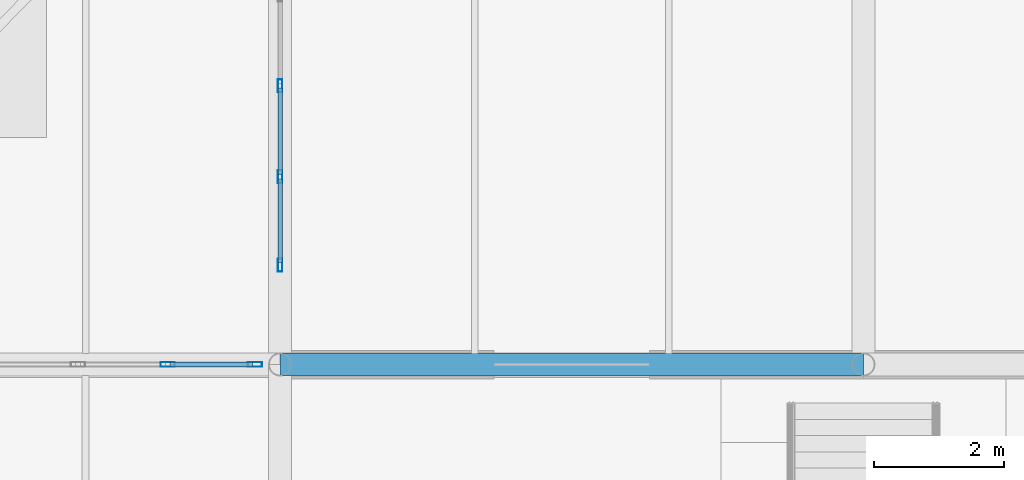
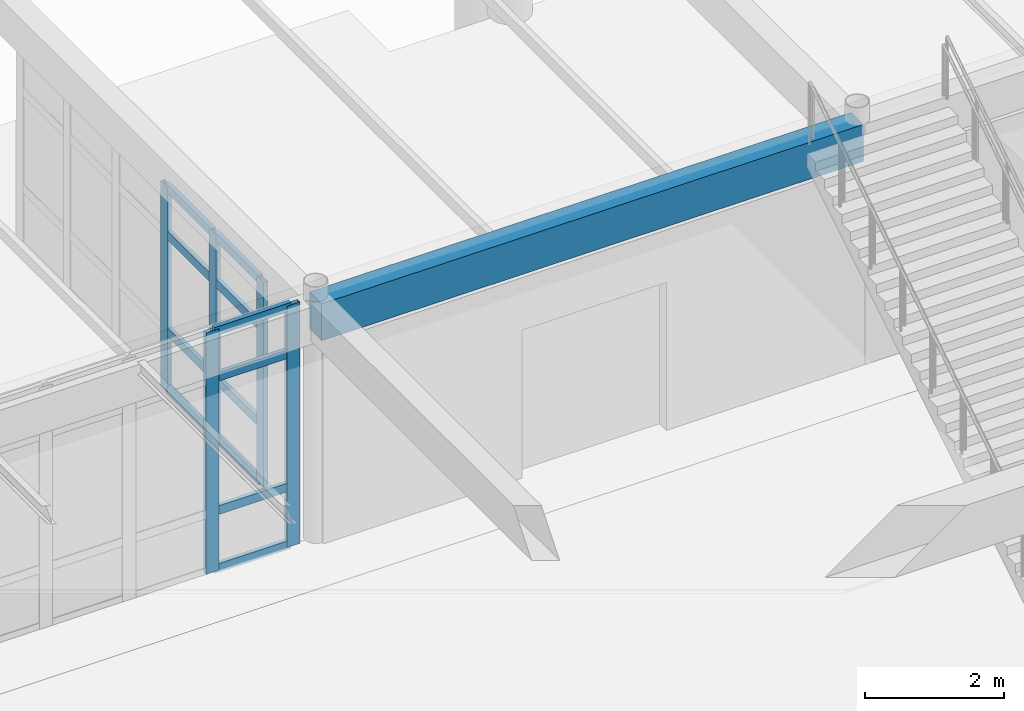
# One storey, part 95 of 186: 17 members, 1 beam, 2 elements without a shape of their own.
"""IFC4 building model written with IfcOpenShell, lengths in metres."""

from ifc_helpers import new_model, si_unit, direction, frame, origin, origin_2d, place, context, subcontext, project, spatial, rectangle, hollow_rectangle, extrude, material, layer, layer_set, material_profile, profile_set, type_object, element, aggregate, save


model = new_model("IFC4")

# Units and contexts
model_context = context("Model", 3, precision=1e-05, world=origin(), true_north=direction((0.0, 1.0)))
body_context = subcontext(model_context, "Body", "Model", "MODEL_VIEW")
ifc_project = project(units=[si_unit("LENGTHUNIT", "METRE"), si_unit("AREAUNIT", "SQUARE_METRE"), si_unit("VOLUMEUNIT", "CUBIC_METRE"), si_unit("PLANEANGLEUNIT", "RADIAN"), si_unit("MASSUNIT", "GRAM", prefix="KILO")], contexts=[model_context])

# Site, building, storey
site_placement = place(None, origin())
site = spatial("IfcSite", under=ifc_project, at=site_placement, CompositionType="ELEMENT")
building_placement = place(site_placement, origin())
building = spatial("IfcBuilding", under=site, at=building_placement, Name="Ornek Quay Market", CompositionType="ELEMENT")
storey_placement = place(building_placement, origin())
storey = spatial("IfcBuildingStorey", under=building, at=storey_placement, Name="L00", CompositionType="ELEMENT", Elevation=0.0)

# Beam
ifc_material_1 = material(Name="Concrete C35/45", Category="concrete")
ifc_material_profile_1 = material_profile(ifc_material_1, rectangle(XDim=0.35009765625, YDim=0.64990234375, at=origin_2d()), Name="RC 350x650", Category="concrete")
ifc_profile_set_1 = profile_set([ifc_material_profile_1], Name="Concrete C35/45")
beam_type = type_object("IfcBeamType", Name="BM-CONC-350x650", PredefinedType="BEAM", material=ifc_profile_set_1)
beam_placement = place(storey_placement, frame((81.0, 110.0, 3.864990234375), z_axis=(1.0, 0.0, 0.0), x_axis=(0.0, 1.0, 0.0)))
element("IfcBeam", 1, at=beam_placement, inside=storey, type_object=beam_type, Name="Primary beam B-CN1-011", PredefinedType="BEAM", context=body_context, shape_type="SweptSolid", body=[
    extrude(rectangle(XDim=0.35009765625, YDim=0.64990234375, at=origin_2d()), origin(), (0.0, 0.0, 1.0), 9.0),
])

# Curtain wall, members
ifc_material_2 = material(Name="Anodised bronze aluminium and triple low-e glass", Category="aluminium")
ifc_layer = layer(ifc_material_2, 0.219970703125, Name="Anodised bronze aluminium and triple low-e glass", Category="aluminium")
ifc_layer_set = layer_set([ifc_layer], Name="Anodised bronze aluminium and triple low-e glass")
curtain_wall_type = type_object("IfcCurtainWallType", Name="CW-PORCH-MOD1500", PredefinedType="USERDEFINED", material=ifc_layer_set)
curtain_wall_1_placement = place(storey_placement, origin())
curtain_wall_1 = element("IfcCurtainWall", 2, at=curtain_wall_1_placement, inside=storey, type_object=curtain_wall_type, Name="Curtain wall CW-152", ObjectType="CURTAIN WALL", PredefinedType="USERDEFINED")
ifc_material_3 = material(Name="Anodised aluminium 6063-T6", Category="aluminium")
ifc_material_profile_2 = material_profile(ifc_material_3, hollow_rectangle(XDim=0.070068359375, YDim=0.199951171875, WallThickness=0.0048828125, at=origin_2d()), Name="CW-MUL-70x200", Category="aluminium")
ifc_profile_set_2 = profile_set([ifc_material_profile_2], Name="Anodised aluminium 6063-T6")
member_type_1 = type_object("IfcMemberType", Name="CW-MUL-70x200", PredefinedType="MULLION", material=ifc_profile_set_2)
member_1_placement = place(storey_placement, frame((81.0, 111.534912109375, 0.0), z_axis=(0.0, 0.0, 1.0), x_axis=(-1.0, 0.0, 0.0)))
member_1 = element("IfcMember", 3, at=member_1_placement, type_object=member_type_1, Name="CW-152 mullion 1", PredefinedType="MULLION", context=body_context, shape_type="SweptSolid", body=[
    extrude(hollow_rectangle(XDim=0.070068359375, YDim=0.199951171875, WallThickness=0.0048828125, at=origin_2d()), origin(), (0.0, 0.0, 1.0), 3.60009765625),
])
member_2_placement = place(storey_placement, frame((81.0, 112.89990234375, 0.0), z_axis=(0.0, 0.0, 1.0), x_axis=(-1.0, 0.0, 0.0)))
member_2 = element("IfcMember", 4, at=member_2_placement, type_object=member_type_1, Name="CW-152 mullion 2", PredefinedType="MULLION", context=body_context, shape_type="SweptSolid", body=[
    extrude(hollow_rectangle(XDim=0.070068359375, YDim=0.199951171875, WallThickness=0.0048828125, at=origin_2d()), origin(), (0.0, 0.0, 1.0), 3.60009765625),
])
member_3_placement = place(storey_placement, frame((81.0, 114.300048828125, 0.0), z_axis=(0.0, 0.0, 1.0), x_axis=(-1.0, 0.0, 0.0)))
member_3 = element("IfcMember", 5, at=member_3_placement, type_object=member_type_1, Name="CW-152 mullion 3", PredefinedType="MULLION", context=body_context, shape_type="SweptSolid", body=[
    extrude(hollow_rectangle(XDim=0.070068359375, YDim=0.199951171875, WallThickness=0.0048828125, at=origin_2d()), origin(), (0.0, 0.0, 1.0), 3.60009765625),
])

curtain_wall_2_placement = place(storey_placement, origin())
curtain_wall_2 = element("IfcCurtainWall", 6, at=curtain_wall_2_placement, inside=storey, type_object=curtain_wall_type, Name="Curtain wall CW-046", ObjectType="CURTAIN WALL", PredefinedType="USERDEFINED")
ifc_material_profile_3 = material_profile(ifc_material_3, hollow_rectangle(XDim=0.074951171875, YDim=0.219970703125, WallThickness=0.0048828125, at=origin_2d()), Name="CW-MUL-75x220", Category="aluminium")
ifc_profile_set_3 = profile_set([ifc_material_profile_3], Name="Anodised aluminium 6063-T6")
member_type_2 = type_object("IfcMemberType", Name="CW-MUL-75x220", PredefinedType="MULLION", material=ifc_profile_set_3)
member_4_placement = place(storey_placement, frame((79.2666015625, 110.0, 0.0), z_axis=(0.0, 0.0, 1.0), x_axis=(0.0, 1.0, 0.0)))
member_4 = element("IfcMember", 7, at=member_4_placement, type_object=member_type_2, Name="CW-046 mullion 6", PredefinedType="MULLION", context=body_context, shape_type="SweptSolid", body=[
    extrude(hollow_rectangle(XDim=0.074951171875, YDim=0.219970703125, WallThickness=0.0048828125, at=origin_2d()), origin(), (0.0, 0.0, 1.0), 4.239990234375),
])
member_5_placement = place(storey_placement, frame((80.612548828125, 110.0, 0.0), z_axis=(0.0, 0.0, 1.0), x_axis=(0.0, 1.0, 0.0)))
member_5 = element("IfcMember", 8, at=member_5_placement, type_object=member_type_2, Name="CW-046 mullion 7", PredefinedType="MULLION", context=body_context, shape_type="SweptSolid", body=[
    extrude(hollow_rectangle(XDim=0.074951171875, YDim=0.219970703125, WallThickness=0.0048828125, at=origin_2d()), origin(), (0.0, 0.0, 1.0), 4.239990234375),
])
ifc_material_profile_4 = material_profile(ifc_material_3, hollow_rectangle(XDim=0.070068359375, YDim=0.14990234375, WallThickness=0.0048828125, at=origin_2d()), Name="CW-TRN-70x150", Category="aluminium")
ifc_profile_set_4 = profile_set([ifc_material_profile_4], Name="Anodised aluminium 6063-T6")
member_type_3 = type_object("IfcMemberType", Name="CW-TRN-70x150", PredefinedType="USERDEFINED", material=ifc_profile_set_4)
member_6_placement = place(storey_placement, frame((79.30419921875, 110.0, 0.034912109375), z_axis=(1.0, 0.0, 0.0), x_axis=(0.0, 1.0, 0.0)))
member_6 = element("IfcMember", 9, at=member_6_placement, type_object=member_type_3, Name="CW-046 transom 6.1", ObjectType="TRANSOM", PredefinedType="USERDEFINED", context=body_context, shape_type="SweptSolid", body=[
    extrude(hollow_rectangle(XDim=0.070068359375, YDim=0.14990234375, WallThickness=0.0048828125, at=origin_2d()), origin(), (0.0, 0.0, 1.0), 1.270751953125),
])
member_7_placement = place(storey_placement, frame((79.30419921875, 110.0, 1.050048828125), z_axis=(1.0, 0.0, 0.0), x_axis=(0.0, 1.0, 0.0)))
member_7 = element("IfcMember", 10, at=member_7_placement, type_object=member_type_3, Name="CW-046 transom 6.2", ObjectType="TRANSOM", PredefinedType="USERDEFINED", context=body_context, shape_type="SweptSolid", body=[
    extrude(hollow_rectangle(XDim=0.070068359375, YDim=0.14990234375, WallThickness=0.0048828125, at=origin_2d()), origin(), (0.0, 0.0, 1.0), 1.270751953125),
])
member_8_placement = place(storey_placement, frame((79.30419921875, 110.0, 3.389892578125), z_axis=(1.0, 0.0, 0.0), x_axis=(0.0, 1.0, 0.0)))
member_8 = element("IfcMember", 11, at=member_8_placement, type_object=member_type_3, Name="CW-046 transom 6.3", ObjectType="TRANSOM", PredefinedType="USERDEFINED", context=body_context, shape_type="SweptSolid", body=[
    extrude(hollow_rectangle(XDim=0.070068359375, YDim=0.14990234375, WallThickness=0.0048828125, at=origin_2d()), origin(), (0.0, 0.0, 1.0), 1.270751953125),
])
member_9_placement = place(storey_placement, frame((79.30419921875, 110.0, 4.205078125), z_axis=(1.0, 0.0, 0.0), x_axis=(0.0, 1.0, 0.0)))
member_9 = element("IfcMember", 12, at=member_9_placement, type_object=member_type_3, Name="CW-046 transom 6.4", ObjectType="TRANSOM", PredefinedType="USERDEFINED", context=body_context, shape_type="SweptSolid", body=[
    extrude(hollow_rectangle(XDim=0.070068359375, YDim=0.14990234375, WallThickness=0.0048828125, at=origin_2d()), origin(), (0.0, 0.0, 1.0), 1.270751953125),
])
aggregate(curtain_wall_2, [member_4, member_5, member_6, member_7, member_8, member_9])

# Member
member_10_placement = place(storey_placement, frame((81.0, 111.570068359375, 0.034912109375), z_axis=(0.0, 1.0, 0.0), x_axis=(-1.0, 0.0, 0.0)))
member_10 = element("IfcMember", 13, at=member_10_placement, type_object=member_type_3, Name="CW-152 transom 1.1", ObjectType="TRANSOM", PredefinedType="USERDEFINED", context=body_context, shape_type="SweptSolid", body=[
    extrude(hollow_rectangle(XDim=0.070068359375, YDim=0.14990234375, WallThickness=0.0048828125, at=origin_2d()), origin(), (0.0, 0.0, 1.0), 1.294921875),
])

member_11_placement = place(storey_placement, frame((81.0, 111.570068359375, 1.050048828125), z_axis=(0.0, 1.0, 0.0), x_axis=(-1.0, 0.0, 0.0)))
member_11 = element("IfcMember", 14, at=member_11_placement, type_object=member_type_3, Name="CW-152 transom 1.2", ObjectType="TRANSOM", PredefinedType="USERDEFINED", context=body_context, shape_type="SweptSolid", body=[
    extrude(hollow_rectangle(XDim=0.070068359375, YDim=0.14990234375, WallThickness=0.0048828125, at=origin_2d()), origin(), (0.0, 0.0, 1.0), 1.294921875),
])

member_12_placement = place(storey_placement, frame((81.0, 111.570068359375, 2.75), z_axis=(0.0, 1.0, 0.0), x_axis=(-1.0, 0.0, 0.0)))
member_12 = element("IfcMember", 15, at=member_12_placement, type_object=member_type_3, Name="CW-152 transom 1.3", ObjectType="TRANSOM", PredefinedType="USERDEFINED", context=body_context, shape_type="SweptSolid", body=[
    extrude(hollow_rectangle(XDim=0.070068359375, YDim=0.14990234375, WallThickness=0.0048828125, at=origin_2d()), origin(), (0.0, 0.0, 1.0), 1.294921875),
])

member_13_placement = place(storey_placement, frame((81.0, 111.570068359375, 3.56494140625), z_axis=(0.0, 1.0, 0.0), x_axis=(-1.0, 0.0, 0.0)))
member_13 = element("IfcMember", 16, at=member_13_placement, type_object=member_type_3, Name="CW-152 transom 1.4", ObjectType="TRANSOM", PredefinedType="USERDEFINED", context=body_context, shape_type="SweptSolid", body=[
    extrude(hollow_rectangle(XDim=0.070068359375, YDim=0.14990234375, WallThickness=0.0048828125, at=origin_2d()), origin(), (0.0, 0.0, 1.0), 1.294921875),
])

member_14_placement = place(storey_placement, frame((81.0, 112.93505859375, 0.034912109375), z_axis=(0.0, 1.0, 0.0), x_axis=(-1.0, 0.0, 0.0)))
member_14 = element("IfcMember", 17, at=member_14_placement, type_object=member_type_3, Name="CW-152 transom 2.1", ObjectType="TRANSOM", PredefinedType="USERDEFINED", context=body_context, shape_type="SweptSolid", body=[
    extrude(hollow_rectangle(XDim=0.070068359375, YDim=0.14990234375, WallThickness=0.0048828125, at=origin_2d()), origin(), (0.0, 0.0, 1.0), 1.329833984375),
])

member_15_placement = place(storey_placement, frame((81.0, 112.93505859375, 1.050048828125), z_axis=(0.0, 1.0, 0.0), x_axis=(-1.0, 0.0, 0.0)))
member_15 = element("IfcMember", 18, at=member_15_placement, type_object=member_type_3, Name="CW-152 transom 2.2", ObjectType="TRANSOM", PredefinedType="USERDEFINED", context=body_context, shape_type="SweptSolid", body=[
    extrude(hollow_rectangle(XDim=0.070068359375, YDim=0.14990234375, WallThickness=0.0048828125, at=origin_2d()), origin(), (0.0, 0.0, 1.0), 1.329833984375),
])

member_16_placement = place(storey_placement, frame((81.0, 112.93505859375, 2.75), z_axis=(0.0, 1.0, 0.0), x_axis=(-1.0, 0.0, 0.0)))
member_16 = element("IfcMember", 19, at=member_16_placement, type_object=member_type_3, Name="CW-152 transom 2.3", ObjectType="TRANSOM", PredefinedType="USERDEFINED", context=body_context, shape_type="SweptSolid", body=[
    extrude(hollow_rectangle(XDim=0.070068359375, YDim=0.14990234375, WallThickness=0.0048828125, at=origin_2d()), origin(), (0.0, 0.0, 1.0), 1.329833984375),
])

member_17_placement = place(storey_placement, frame((81.0, 112.93505859375, 3.56494140625), z_axis=(0.0, 1.0, 0.0), x_axis=(-1.0, 0.0, 0.0)))
member_17 = element("IfcMember", 20, at=member_17_placement, type_object=member_type_3, Name="CW-152 transom 2.4", ObjectType="TRANSOM", PredefinedType="USERDEFINED", context=body_context, shape_type="SweptSolid", body=[
    extrude(hollow_rectangle(XDim=0.070068359375, YDim=0.14990234375, WallThickness=0.0048828125, at=origin_2d()), origin(), (0.0, 0.0, 1.0), 1.329833984375),
])

aggregate(curtain_wall_1, [member_1, member_2, member_3, member_10, member_11, member_12, member_13, member_14, member_15, member_16, member_17])

save(model, "model.ifc")
